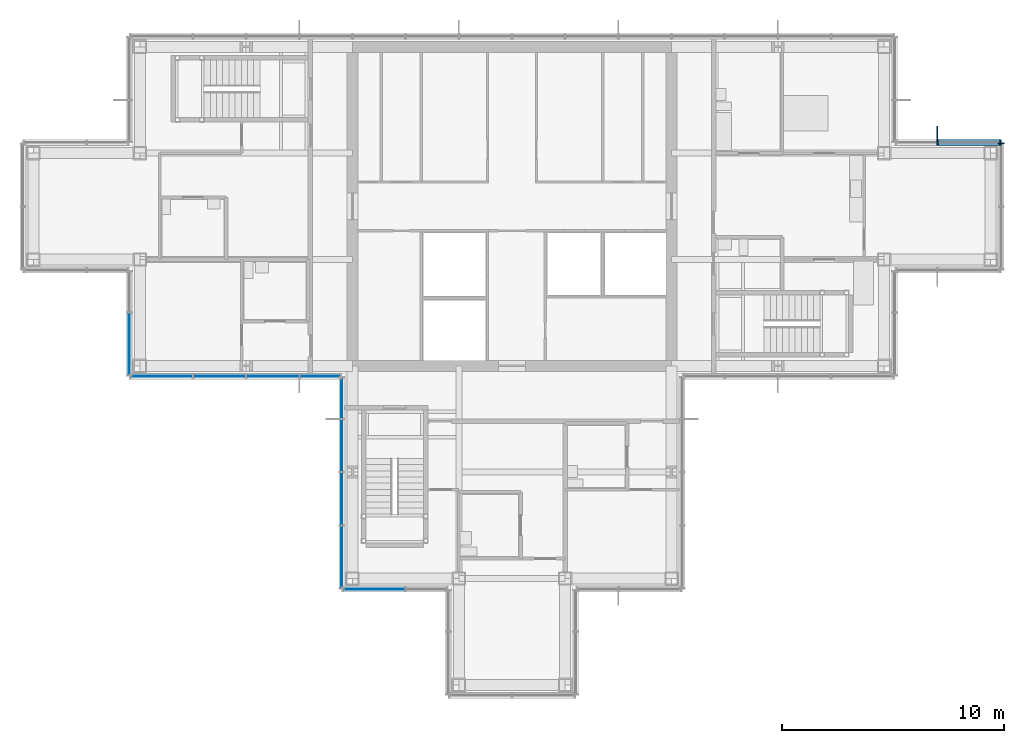
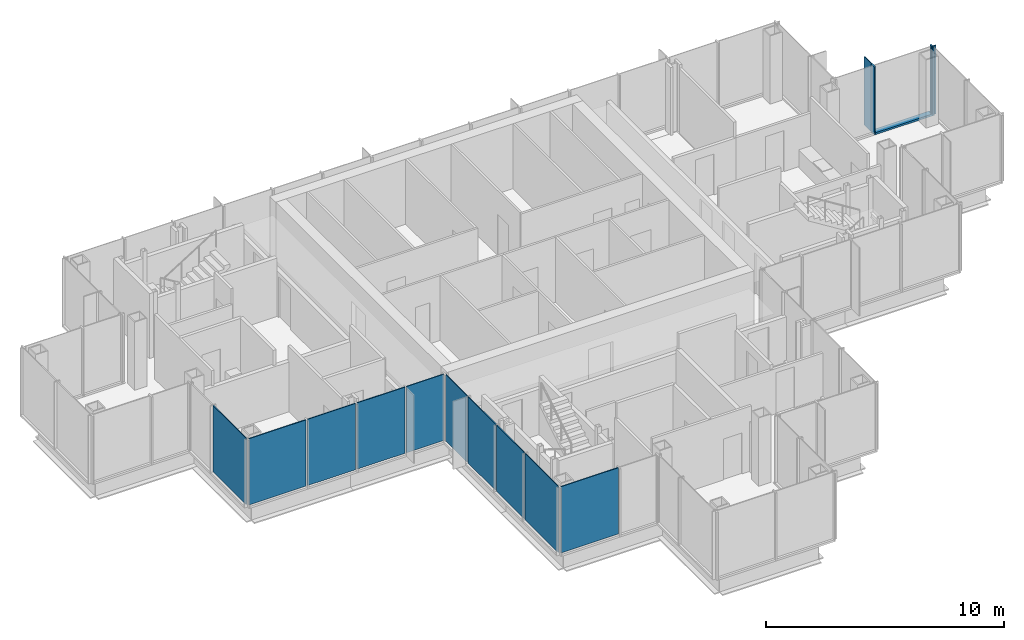
# One storey, part 8 of 15: 10 plates, 5 members, 6 elements without a shape of their own.
"""IFC4 building model written with IfcOpenShell, lengths in metres."""

from ifc_helpers import new_model, si_unit, direction, frame, origin, origin_2d, place, context, subcontext, project, spatial, rectangle, extrude, material, layer, layer_set, material_profile, profile_set, type_object, element, aggregate, save


model = new_model("IFC4")

# Units and contexts
model_context = context("Model", 3, precision=1e-05, world=origin(), true_north=direction((0.0, 1.0)))
body_context = subcontext(model_context, "Body", "Model", "MODEL_VIEW")
ifc_project = project(units=[si_unit("LENGTHUNIT", "METRE"), si_unit("AREAUNIT", "SQUARE_METRE"), si_unit("VOLUMEUNIT", "CUBIC_METRE"), si_unit("PLANEANGLEUNIT", "RADIAN"), si_unit("MASSUNIT", "GRAM", prefix="KILO")], contexts=[model_context])

# Site, building, storey
site_placement = place(None, origin())
site = spatial("IfcSite", under=ifc_project, at=site_placement, CompositionType="ELEMENT")
building_placement = place(site_placement, origin())
building = spatial("IfcBuilding", under=site, at=building_placement, Name="Kvirike Care Tower", CompositionType="ELEMENT")
storey_placement = place(building_placement, frame((0.0, 0.0, 233.0)))
storey = spatial("IfcBuildingStorey", under=building, at=storey_placement, Name="L64", CompositionType="ELEMENT", Elevation=233.0)

# Curtain wall, member
ifc_material_1 = material(Name="Anodised aluminium stick system", Category="aluminium")
curtain_wall_type = type_object("IfcCurtainWallType", Name="CW-D STICK CURTAIN WALL", PredefinedType="NOTDEFINED", material=ifc_material_1)
curtain_wall_1_placement = place(storey_placement, origin())
curtain_wall_1 = element("IfcCurtainWall", 1, at=curtain_wall_1_placement, inside=storey, type_object=curtain_wall_type, Name="Curtain wall L64 face 5", PredefinedType="NOTDEFINED")
ifc_material_2 = material(Name="Bronze anodised aluminium fin", Category="aluminium")
ifc_material_profile_1 = material_profile(ifc_material_2, rectangle(XDim=0.050048828125, YDim=0.60009765625, at=origin_2d()), Name="BRONZE FIN 600")
ifc_profile_set_1 = profile_set([ifc_material_profile_1], Name="Bronze anodised aluminium fin")
member_type_1 = type_object("IfcMemberType", Name="BRONZE FIN 600", PredefinedType="USERDEFINED", material=ifc_profile_set_1)
member_1_placement = place(storey_placement, frame((40.800048828125, 39.31005859375, 0.0), z_axis=(0.0, 0.0, 1.0), x_axis=(-1.0, 0.0, 0.0)))
member_1 = element("IfcMember", 2, at=member_1_placement, type_object=member_type_1, Name="Bronze fin L64 face 5.2", ObjectType="FIN", PredefinedType="USERDEFINED", context=body_context, shape_type="SweptSolid", body=[
    extrude(rectangle(XDim=0.050048828125, YDim=0.60009765625, at=origin_2d()), origin(), (0.0, 0.0, 1.0), 3.5),
])

curtain_wall_2_placement = place(storey_placement, origin())
curtain_wall_2 = element("IfcCurtainWall", 3, at=curtain_wall_2_placement, inside=storey, type_object=curtain_wall_type, Name="Curtain wall L64 face 4", PredefinedType="NOTDEFINED")
ifc_material_3 = material(Name="Bronze anodised aluminium mullion", Category="aluminium")
ifc_material_profile_2 = material_profile(ifc_material_3, rectangle(XDim=0.06494140625, YDim=0.260009765625, at=origin_2d()), Name="CW-D MULLION 65x260")
ifc_profile_set_2 = profile_set([ifc_material_profile_2], Name="Bronze anodised aluminium mullion")
member_type_2 = type_object("IfcMemberType", Name="CW-D MULLION 65x260", PredefinedType="MULLION", material=ifc_profile_set_2)
member_2_placement = place(storey_placement, frame((43.679931640625, 38.847412109375, 0.0), z_axis=(0.0, 0.0, 1.0), x_axis=(0.0, 1.0, 0.0)))
member_2 = element("IfcMember", 4, at=member_2_placement, type_object=member_type_2, Name="CW-D mullion L64 face 4.3", PredefinedType="MULLION", context=body_context, shape_type="SweptSolid", body=[
    extrude(rectangle(XDim=0.06494140625, YDim=0.260009765625, at=origin_2d()), origin(), (0.0, 0.0, 1.0), 3.5),
])
aggregate(curtain_wall_2, [member_2])

# Member
member_3_placement = place(storey_placement, frame((43.6474609375, 38.8798828125, 0.0), z_axis=(0.0, 0.0, 1.0), x_axis=(-1.0, 0.0, 0.0)))
member_3 = element("IfcMember", 5, at=member_3_placement, type_object=member_type_2, Name="CW-D mullion L64 face 5.1", PredefinedType="MULLION", context=body_context, shape_type="SweptSolid", body=[
    extrude(rectangle(XDim=0.06494140625, YDim=0.260009765625, at=origin_2d()), origin(), (0.0, 0.0, 1.0), 3.5),
])

member_4_placement = place(storey_placement, frame((40.800048828125, 38.8798828125, 0.0), z_axis=(0.0, 0.0, 1.0), x_axis=(-1.0, 0.0, 0.0)))
member_4 = element("IfcMember", 6, at=member_4_placement, type_object=member_type_2, Name="CW-D mullion L64 face 5.2", PredefinedType="MULLION", context=body_context, shape_type="SweptSolid", body=[
    extrude(rectangle(XDim=0.06494140625, YDim=0.260009765625, at=origin_2d()), origin(), (0.0, 0.0, 1.0), 3.5),
])

ifc_material_4 = material(Name="Bronze anodised aluminium transom", Category="aluminium")
ifc_material_profile_3 = material_profile(ifc_material_4, rectangle(XDim=0.260009765625, YDim=0.10009765625, at=origin_2d()), Name="CW-D TRANSOM 260x100")
ifc_profile_set_3 = profile_set([ifc_material_profile_3], Name="Bronze anodised aluminium transom")
member_type_3 = type_object("IfcMemberType", Name="CW-D TRANSOM 260x100", PredefinedType="USERDEFINED", material=ifc_profile_set_3)
member_5_placement = place(storey_placement, frame((43.614990234375, 38.8798828125, 0.050048828125), z_axis=(-1.0, 0.0, 0.0), x_axis=(0.0, -1.0, 0.0)))
member_5 = element("IfcMember", 7, at=member_5_placement, type_object=member_type_3, Name="CW-D sill transom L64 face 5.1", ObjectType="TRANSOM", PredefinedType="USERDEFINED", context=body_context, shape_type="SweptSolid", body=[
    extrude(rectangle(XDim=0.260009765625, YDim=0.10009765625, at=origin_2d()), origin(), (0.0, 0.0, 1.0), 2.782470703125),
])

aggregate(curtain_wall_1, [member_3, member_4, member_1, member_5])

# Curtain wall, plate
curtain_wall_3_placement = place(storey_placement, origin())
curtain_wall_3 = element("IfcCurtainWall", 8, at=curtain_wall_3_placement, inside=storey, type_object=curtain_wall_type, Name="Curtain wall L64 face 12", PredefinedType="NOTDEFINED")
ifc_material_5 = material(Name="Tinted double glazed unit", Category="glass")
ifc_layer = layer(ifc_material_5, 0.0439453125)
ifc_layer_set = layer_set([ifc_layer], Name="TINTED VISION PANEL 44")
plate_type = type_object("IfcPlateType", Name="TINTED VISION PANEL 44", PredefinedType="CURTAIN_PANEL", material=ifc_layer_set)
plate_1_placement = place(storey_placement, frame((4.320068359375, 29.7763671875, 0.10009765625), z_axis=(0.0, 0.0, 1.0), x_axis=(0.0, -1.0, 0.0)))
plate_1 = element("IfcPlate", 9, at=plate_1_placement, type_object=plate_type, Name="CW-D panel L64 face 12.2", PredefinedType="CURTAIN_PANEL", context=body_context, shape_type="SweptSolid", body=[
    extrude(rectangle(XDim=2.782470703125, YDim=0.0439453125, at=origin_2d()), origin(), (0.0, 0.0, 1.0), 3.39990234375),
])
aggregate(curtain_wall_3, [plate_1])

# Curtain wall, plates
curtain_wall_4_placement = place(storey_placement, origin())
curtain_wall_4 = element("IfcCurtainWall", 10, at=curtain_wall_4_placement, inside=storey, type_object=curtain_wall_type, Name="Curtain wall L64 face 13", PredefinedType="NOTDEFINED")
plate_2_placement = place(storey_placement, frame((5.7763671875, 28.320068359375, 0.10009765625), z_axis=(0.0, 0.0, 1.0), x_axis=(1.0, 0.0, 0.0)))
plate_2 = element("IfcPlate", 11, at=plate_2_placement, type_object=plate_type, Name="CW-D panel L64 face 13.1", PredefinedType="CURTAIN_PANEL", context=body_context, shape_type="SweptSolid", body=[
    extrude(rectangle(XDim=2.782470703125, YDim=0.0439453125, at=origin_2d()), origin(), (0.0, 0.0, 1.0), 3.39990234375),
])
plate_3_placement = place(storey_placement, frame((8.39990234375, 28.320068359375, 0.10009765625), z_axis=(0.0, 0.0, 1.0), x_axis=(1.0, 0.0, 0.0)))
plate_3 = element("IfcPlate", 12, at=plate_3_placement, type_object=plate_type, Name="CW-D panel L64 face 13.2", PredefinedType="CURTAIN_PANEL", context=body_context, shape_type="SweptSolid", body=[
    extrude(rectangle(XDim=2.3349609375, YDim=0.0439453125, at=origin_2d()), origin(), (0.0, 0.0, 1.0), 3.39990234375),
])
plate_4_placement = place(storey_placement, frame((10.800048828125, 28.320068359375, 0.10009765625), z_axis=(0.0, 0.0, 1.0), x_axis=(1.0, 0.0, 0.0)))
plate_4 = element("IfcPlate", 13, at=plate_4_placement, type_object=plate_type, Name="CW-D panel L64 face 13.3", PredefinedType="CURTAIN_PANEL", context=body_context, shape_type="SweptSolid", body=[
    extrude(rectangle(XDim=2.3349609375, YDim=0.0439453125, at=origin_2d()), origin(), (0.0, 0.0, 1.0), 3.39990234375),
])
plate_5_placement = place(storey_placement, frame((12.94384765625, 28.320068359375, 0.10009765625), z_axis=(0.0, 0.0, 1.0), x_axis=(1.0, 0.0, 0.0)))
plate_5 = element("IfcPlate", 14, at=plate_5_placement, type_object=plate_type, Name="CW-D panel L64 face 13.4", PredefinedType="CURTAIN_PANEL", context=body_context, shape_type="SweptSolid", body=[
    extrude(rectangle(XDim=1.822509765625, YDim=0.0439453125, at=origin_2d()), origin(), (0.0, 0.0, 1.0), 3.39990234375),
])
aggregate(curtain_wall_4, [plate_2, plate_3, plate_4, plate_5])

curtain_wall_5_placement = place(storey_placement, origin())
curtain_wall_5 = element("IfcCurtainWall", 15, at=curtain_wall_5_placement, inside=storey, type_object=curtain_wall_type, Name="Curtain wall L64 face 14", PredefinedType="NOTDEFINED")
plate_6_placement = place(storey_placement, frame((13.919921875, 27.34375, 0.10009765625), z_axis=(0.0, 0.0, 1.0), x_axis=(0.0, -1.0, 0.0)))
plate_6 = element("IfcPlate", 16, at=plate_6_placement, type_object=plate_type, Name="CW-D panel L64 face 14.1", PredefinedType="CURTAIN_PANEL", context=body_context, shape_type="SweptSolid", body=[
    extrude(rectangle(XDim=1.822509765625, YDim=0.0439453125, at=origin_2d()), origin(), (0.0, 0.0, 1.0), 3.39990234375),
])
plate_7_placement = place(storey_placement, frame((13.919921875, 25.199951171875, 0.10009765625), z_axis=(0.0, 0.0, 1.0), x_axis=(0.0, -1.0, 0.0)))
plate_7 = element("IfcPlate", 17, at=plate_7_placement, type_object=plate_type, Name="CW-D panel L64 face 14.2", PredefinedType="CURTAIN_PANEL", context=body_context, shape_type="SweptSolid", body=[
    extrude(rectangle(XDim=2.3349609375, YDim=0.0439453125, at=origin_2d()), origin(), (0.0, 0.0, 1.0), 3.39990234375),
])
plate_8_placement = place(storey_placement, frame((13.919921875, 22.800048828125, 0.10009765625), z_axis=(0.0, 0.0, 1.0), x_axis=(0.0, -1.0, 0.0)))
plate_8 = element("IfcPlate", 18, at=plate_8_placement, type_object=plate_type, Name="CW-D panel L64 face 14.3", PredefinedType="CURTAIN_PANEL", context=body_context, shape_type="SweptSolid", body=[
    extrude(rectangle(XDim=2.3349609375, YDim=0.0439453125, at=origin_2d()), origin(), (0.0, 0.0, 1.0), 3.39990234375),
])
plate_9_placement = place(storey_placement, frame((13.919921875, 20.17626953125, 0.10009765625), z_axis=(0.0, 0.0, 1.0), x_axis=(0.0, -1.0, 0.0)))
plate_9 = element("IfcPlate", 19, at=plate_9_placement, type_object=plate_type, Name="CW-D panel L64 face 14.4", PredefinedType="CURTAIN_PANEL", context=body_context, shape_type="SweptSolid", body=[
    extrude(rectangle(XDim=2.782470703125, YDim=0.0439453125, at=origin_2d()), origin(), (0.0, 0.0, 1.0), 3.39990234375),
])
aggregate(curtain_wall_5, [plate_6, plate_7, plate_8, plate_9])

# Curtain wall, plate
curtain_wall_6_placement = place(storey_placement, origin())
curtain_wall_6 = element("IfcCurtainWall", 20, at=curtain_wall_6_placement, inside=storey, type_object=curtain_wall_type, Name="Curtain wall L64 face 15", PredefinedType="NOTDEFINED")
plate_10_placement = place(storey_placement, frame((15.376220703125, 18.719970703125, 0.10009765625), z_axis=(0.0, 0.0, 1.0), x_axis=(1.0, 0.0, 0.0)))
plate_10 = element("IfcPlate", 21, at=plate_10_placement, type_object=plate_type, Name="CW-D panel L64 face 15.1", PredefinedType="CURTAIN_PANEL", context=body_context, shape_type="SweptSolid", body=[
    extrude(rectangle(XDim=2.782470703125, YDim=0.0439453125, at=origin_2d()), origin(), (0.0, 0.0, 1.0), 3.39990234375),
])
aggregate(curtain_wall_6, [plate_10])

save(model, "model.ifc")
